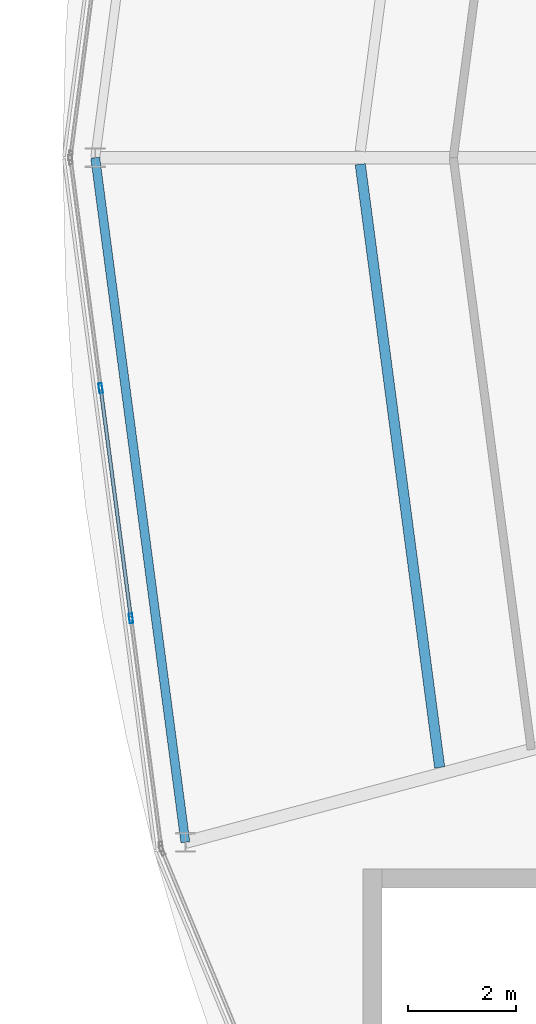
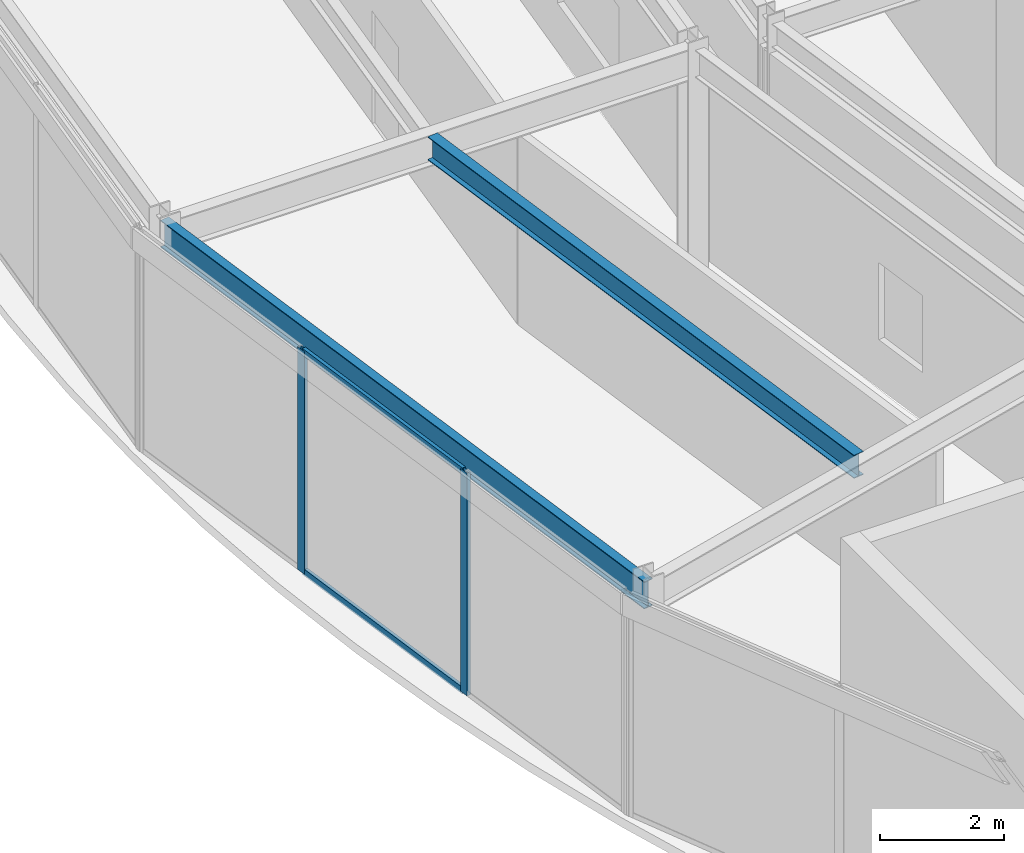
# One storey, part 35 of 157: 4 members, 2 beams, 1 element without a shape of its own.
"""IFC4 building model written with IfcOpenShell, lengths in metres."""

from ifc_helpers import new_model, si_unit, direction, frame, origin, origin_2d, place, context, subcontext, project, spatial, hollow_rectangle, i_section, extrude, material, material_profile, profile_set, type_object, element, aggregate, save


model = new_model("IFC4")

# Units and contexts
model_context = context("Model", 3, precision=1e-05, world=origin(), true_north=direction((0.0, 1.0)))
body_context = subcontext(model_context, "Body", "Model", "MODEL_VIEW")
ifc_project = project(units=[si_unit("LENGTHUNIT", "METRE"), si_unit("AREAUNIT", "SQUARE_METRE"), si_unit("VOLUMEUNIT", "CUBIC_METRE"), si_unit("PLANEANGLEUNIT", "RADIAN"), si_unit("MASSUNIT", "GRAM", prefix="KILO")], contexts=[model_context])

# Site, building, storey
site_placement = place(None, origin())
site = spatial("IfcSite", under=ifc_project, at=site_placement, CompositionType="ELEMENT")
building_placement = place(site_placement, origin())
building = spatial("IfcBuilding", under=site, at=building_placement, Name="Almandine Court Research Institute", CompositionType="ELEMENT")
storey_placement = place(building_placement, frame((0.0, 0.0, 5.25)))
storey = spatial("IfcBuildingStorey", under=building, at=storey_placement, Name="L01", CompositionType="ELEMENT", Elevation=5.25)

# Beams
ifc_material_1 = material(Name="Steel ASTM A992 Grade 50", Category="steel")
ifc_material_profile_1 = material_profile(ifc_material_1, i_section(OverallWidth=0.18994140625, OverallDepth=0.45703125, WebThickness=0.009033203125, FlangeThickness=0.014892578125, at=origin_2d()), Name="W460x74")
ifc_profile_set_1 = profile_set([ifc_material_profile_1], Name="Steel ASTM A992 Grade 50")
beam_type_1 = type_object("IfcBeamType", Name="Beam-B-01", PredefinedType="BEAM", material=ifc_profile_set_1)
beam_1_placement = place(storey_placement, frame((43.0, 55.8798828125, 4.14111328125), z_axis=(0.130512904889, -0.991446610594, 0.0), x_axis=(0.991446610594, 0.130512904889, 0.0)))
element("IfcBeam", 1, at=beam_1_placement, inside=storey, type_object=beam_type_1, Name="L01 Drum MID Ring Beam 12", PredefinedType="BEAM", context=body_context, shape_type="SweptSolid", body=[
    extrude(i_section(OverallWidth=0.18994140625, OverallDepth=0.45703125, WebThickness=0.009033203125, FlangeThickness=0.014892578125, at=origin_2d()), origin(), (0.0, 0.0, 1.0), 11.248046875),
])
ifc_material_profile_2 = material_profile(ifc_material_1, i_section(OverallWidth=0.166015625, OverallDepth=0.534912109375, WebThickness=0.010009765625, FlangeThickness=0.01708984375, at=origin_2d()), Name="W530x85")
ifc_profile_set_2 = profile_set([ifc_material_profile_2], Name="Steel ASTM A992 Grade 50")
beam_type_2 = type_object("IfcBeamType", Name="Beam-G-05-E", PredefinedType="SPANDREL", material=ifc_profile_set_2)
beam_2_placement = place(storey_placement, frame((38.10009765625, 56.0, 4.10205078125), z_axis=(0.130512396599, -0.991446677504, 0.0), x_axis=(0.991446677504, 0.130512396599, 0.0)))
element("IfcBeam", 2, at=beam_2_placement, inside=storey, type_object=beam_type_2, Name="L01 Drum OUT Ring Beam 12", PredefinedType="SPANDREL", context=body_context, shape_type="SweptSolid", body=[
    extrude(i_section(OverallWidth=0.166015625, OverallDepth=0.534912109375, WebThickness=0.010009765625, FlangeThickness=0.01708984375, at=origin_2d()), origin(), (0.0, 0.0, 1.0), 12.76513671875),
])

# Curtain wall, members
ifc_material_2 = material(Name="Unitised Curtain Wall Framing and Solar Glazing", Category="glass")
curtain_wall_type = type_object("IfcCurtainWallType", Name="CW-CWJ-19", PredefinedType="USERDEFINED", material=ifc_material_2)
curtain_wall_placement = place(storey_placement, origin())
curtain_wall = element("IfcCurtainWall", 3, at=curtain_wall_placement, inside=storey, type_object=curtain_wall_type, Name="L01 Stacked-Ring Drum Outer Solar Jali Screen 12", ObjectType="SOLAR JALI SCREEN", PredefinedType="USERDEFINED")
ifc_material_3 = material(Name="Anodised Aluminium AW-6063-T6", Category="aluminium")
ifc_material_profile_3 = material_profile(ifc_material_3, hollow_rectangle(XDim=0.06494140625, YDim=0.179931640625, WallThickness=0.00390625, at=origin_2d()), Name="ALU RHS 65x180x4")
ifc_profile_set_3 = profile_set([ifc_material_profile_3], Name="Anodised Aluminium AW-6063-T6")
member_type_1 = type_object("IfcMemberType", Name="CWMul-65x180", PredefinedType="MULLION", material=ifc_profile_set_3)
member_1_placement = place(storey_placement, frame((38.7607421875, 47.484619140625, 0.0), z_axis=(0.0, 0.0, 1.0), x_axis=(-0.991442926098, -0.130540891259, 0.0)))
member_1 = element("IfcMember", 4, at=member_1_placement, type_object=member_type_1, Name="CWJ-19 mullion 2", PredefinedType="MULLION", context=body_context, shape_type="SweptSolid", body=[
    extrude(hollow_rectangle(XDim=0.06494140625, YDim=0.179931640625, WallThickness=0.00390625, at=origin_2d()), origin(), (0.0, 0.0, 1.0), 4.3701171875),
])
member_2_placement = place(storey_placement, frame((38.200439453125, 51.740234375, 0.0), z_axis=(0.0, 0.0, 1.0), x_axis=(-0.991442926098, -0.130540891259, 0.0)))
member_2 = element("IfcMember", 5, at=member_2_placement, type_object=member_type_1, Name="CWJ-19 mullion 3", PredefinedType="MULLION", context=body_context, shape_type="SweptSolid", body=[
    extrude(hollow_rectangle(XDim=0.06494140625, YDim=0.179931640625, WallThickness=0.00390625, at=origin_2d()), origin(), (0.0, 0.0, 1.0), 4.3701171875),
])
ifc_material_profile_4 = material_profile(ifc_material_3, hollow_rectangle(XDim=0.06494140625, YDim=0.1298828125, WallThickness=0.00390625, at=origin_2d()), Name="ALU RHS 65x130x4")
ifc_profile_set_4 = profile_set([ifc_material_profile_4], Name="Anodised Aluminium AW-6063-T6")
member_type_2 = type_object("IfcMemberType", Name="CWTrn-65x130", PredefinedType="NOTDEFINED", material=ifc_profile_set_4)
member_3_placement = place(storey_placement, frame((38.75634765625, 47.516845703125, 0.032470703125), z_axis=(-0.130521740045, 0.991445447504, 0.0), x_axis=(-0.991445447504, -0.130521740045, 0.0)))
member_3 = element("IfcMember", 6, at=member_3_placement, type_object=member_type_2, Name="CWJ-19 transom 2.1", ObjectType="TRANSOM", PredefinedType="USERDEFINED", context=body_context, shape_type="SweptSolid", body=[
    extrude(hollow_rectangle(XDim=0.06494140625, YDim=0.1298828125, WallThickness=0.00390625, at=origin_2d()), origin(), (0.0, 0.0, 1.0), 4.227294921875),
])
member_4_placement = place(storey_placement, frame((38.75634765625, 47.516845703125, 4.33740234375), z_axis=(-0.130521740045, 0.991445447504, 0.0), x_axis=(-0.991445447504, -0.130521740045, 0.0)))
member_4 = element("IfcMember", 7, at=member_4_placement, type_object=member_type_2, Name="CWJ-19 transom 2.2", ObjectType="TRANSOM", PredefinedType="USERDEFINED", context=body_context, shape_type="SweptSolid", body=[
    extrude(hollow_rectangle(XDim=0.06494140625, YDim=0.1298828125, WallThickness=0.00390625, at=origin_2d()), origin(), (0.0, 0.0, 1.0), 4.227294921875),
])
aggregate(curtain_wall, [member_1, member_2, member_3, member_4])

save(model, "model.ifc")
